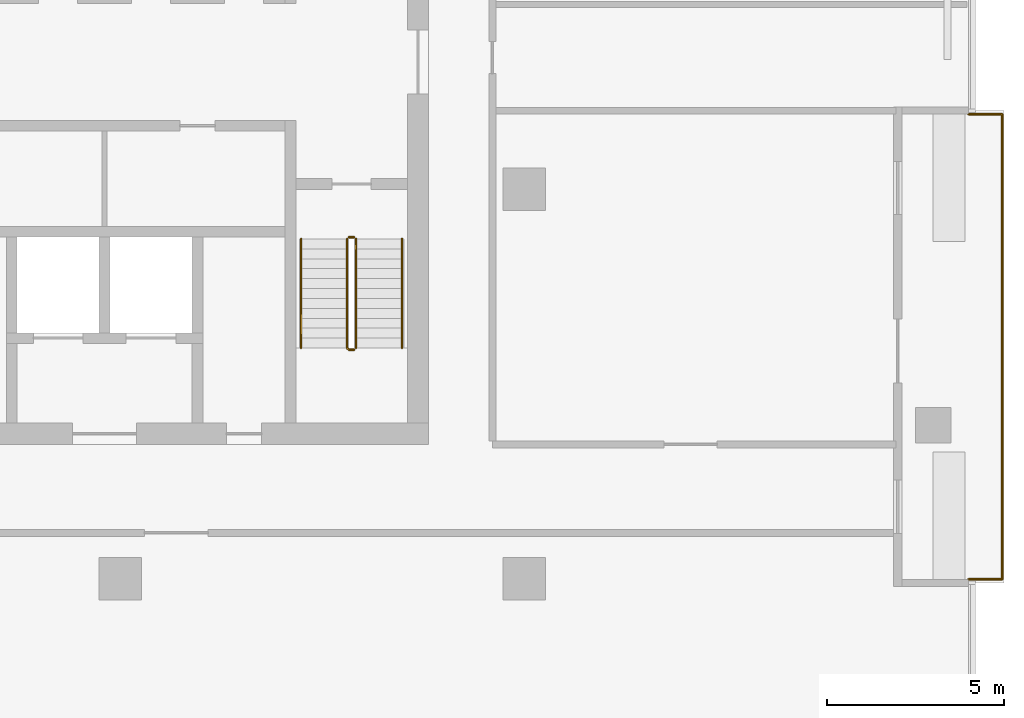
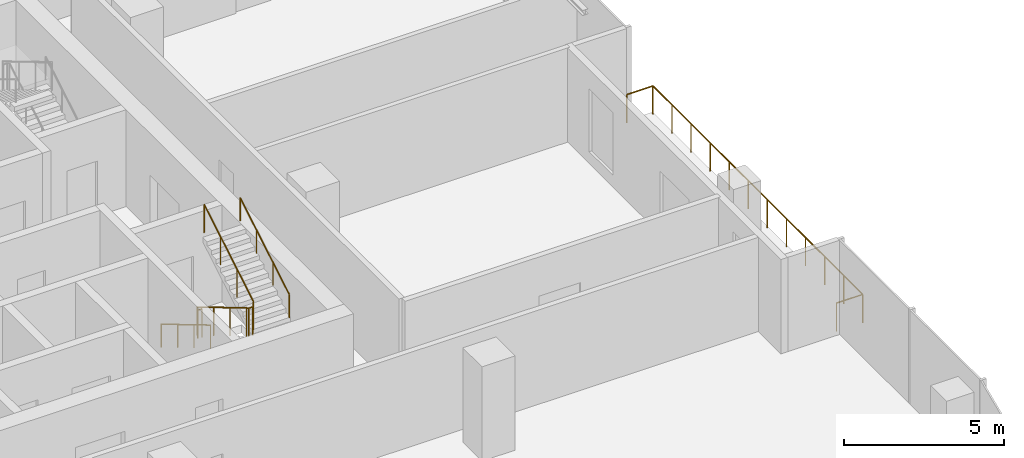
# One storey, part 12 of 13: 6 railings.
"""IFC4 building model written with IfcOpenShell, lengths in metres."""

from ifc_helpers import new_model, si_unit, direction, frame, origin, origin_2d, place, context, subcontext, project, spatial, circle, extrude, material, type_object, element, save


model = new_model("IFC4")

# Units and contexts
model_context = context("Model", 3, precision=1e-05, world=origin(), true_north=direction((0.0, 1.0)))
body_context = subcontext(model_context, "Body", "Model", "MODEL_VIEW")
ifc_project = project(units=[si_unit("LENGTHUNIT", "METRE"), si_unit("AREAUNIT", "SQUARE_METRE"), si_unit("VOLUMEUNIT", "CUBIC_METRE"), si_unit("PLANEANGLEUNIT", "RADIAN"), si_unit("MASSUNIT", "GRAM", prefix="KILO")], contexts=[model_context])

# Site, building, storey
site_placement = place(None, origin())
site = spatial("IfcSite", under=ifc_project, at=site_placement, CompositionType="ELEMENT")
building_placement = place(site_placement, origin())
building = spatial("IfcBuilding", under=site, at=building_placement, Name="Mopane Tessera Tower", CompositionType="ELEMENT")
storey_placement = place(building_placement, frame((0.0, 0.0, 287.39990234375)))
storey = spatial("IfcBuildingStorey", under=building, at=storey_placement, Name="L62", CompositionType="ELEMENT", Elevation=287.39990234375)

# Railings
ifc_material_1 = material(Name="Powder-coated steel balustrade", Category="steel")
railing_type_1 = type_object("IfcRailingType", Name="Escape stair guard 1100 mm", PredefinedType="GUARDRAIL", material=ifc_material_1)
railing_1_placement = place(storey_placement, frame((12.10009765625, -1.39990234375, 0.166748046875)))
element("IfcRailing", 1, at=railing_1_placement, inside=storey, type_object=railing_type_1, Name="L62 ST3 stair guard 1", PredefinedType="GUARDRAIL", context=body_context, shape_type="SweptSolid", body=[
    extrude(circle(Radius=0.02392578125, at=origin_2d()), frame((0.0, 0.0, 1.076171875), z_axis=(0.0, -0.859308565015, 0.511457515432), x_axis=(1.0, 0.0, 0.0)), (0.0, 0.0, 1.0), 3.58447265625),
    extrude(circle(Radius=0.02392578125, at=origin_2d()), frame((0.0, -3.080078125, 2.9091796875), z_axis=(0.705375805398, -0.708833529934, 0.0), x_axis=(0.708833529934, 0.705375805398, 0.0)), (0.0, 0.0, 1.0), 0.070556640625),
    extrude(circle(Radius=0.02392578125, at=origin_2d()), frame((0.0498046875, -3.130126953125, 2.9091796875), z_axis=(1.0, 0.0, 0.0), x_axis=(0.0, 1.0, 0.0)), (0.0, 0.0, 1.0), 0.150146484375),
    extrude(circle(Radius=0.02099609375, at=origin_2d()), origin(), (0.0, 0.0, 1.0), 1.052001953125),
    extrude(circle(Radius=0.02099609375, at=origin_2d()), frame((0.0, -1.026611328125, 0.611083984375)), (0.0, 0.0, 1.0), 1.052001953125),
    extrude(circle(Radius=0.02099609375, at=origin_2d()), frame((0.0, -2.053466796875, 1.22216796875)), (0.0, 0.0, 1.0), 1.052001953125),
    extrude(circle(Radius=0.02099609375, at=origin_2d()), frame((0.0, -3.080078125, 1.833251953125)), (0.0, 0.0, 1.0), 1.052001953125),
    extrude(circle(Radius=0.02099609375, at=origin_2d()), frame((0.0498046875, -3.130126953125, 1.833251953125)), (0.0, 0.0, 1.0), 1.052001953125),
    extrude(circle(Radius=0.02099609375, at=origin_2d()), frame((0.199951171875, -3.130126953125, 1.833251953125)), (0.0, 0.0, 1.0), 1.052001953125),
])
railing_2_placement = place(storey_placement, frame((12.35009765625, -4.47998046875, 2.166748046875)))
element("IfcRailing", 2, at=railing_2_placement, inside=storey, type_object=railing_type_1, Name="L62 ST3 stair guard 2", PredefinedType="GUARDRAIL", context=body_context, shape_type="SweptSolid", body=[
    extrude(circle(Radius=0.02392578125, at=origin_2d()), frame((0.0, 0.0, 1.076171875), z_axis=(0.0, 0.859308565015, 0.511457515432), x_axis=(-1.0, 0.0, 0.0)), (0.0, 0.0, 1.0), 3.58447265625),
    extrude(circle(Radius=0.02099609375, at=origin_2d()), origin(), (0.0, 0.0, 1.0), 1.052001953125),
    extrude(circle(Radius=0.02099609375, at=origin_2d()), frame((0.0, 1.026611328125, 0.611083984375)), (0.0, 0.0, 1.0), 1.052001953125),
    extrude(circle(Radius=0.02099609375, at=origin_2d()), frame((0.0, 2.053466796875, 1.22216796875)), (0.0, 0.0, 1.0), 1.052001953125),
    extrude(circle(Radius=0.02099609375, at=origin_2d()), frame((0.0, 3.080078125, 1.833251953125)), (0.0, 0.0, 1.0), 1.052001953125),
])
railing_3_placement = place(storey_placement, frame((12.14990234375, -1.35009765625, 0.0)))
element("IfcRailing", 3, at=railing_3_placement, inside=storey, type_object=railing_type_1, Name="L62 ST3 stair guard 3", PredefinedType="GUARDRAIL", context=body_context, shape_type="SweptSolid", body=[
    extrude(circle(Radius=0.02392578125, at=origin_2d()), frame((0.0, 0.0, 1.076171875), z_axis=(1.0, 0.0, 0.0), x_axis=(0.0, 1.0, 0.0)), (0.0, 0.0, 1.0), 0.150146484375),
    extrude(circle(Radius=0.02099609375, at=origin_2d()), origin(), (0.0, 0.0, 1.0), 1.052001953125),
    extrude(circle(Radius=0.02099609375, at=origin_2d()), frame((0.150146484375, 0.0, 0.0)), (0.0, 0.0, 1.0), 1.052001953125),
])
ifc_material_2 = material(Name="Powder-coated steel balustrade", Category="steel")
railing_type_2 = type_object("IfcRailingType", Name="Escape stair handrail 900 mm", PredefinedType="HANDRAIL", material=ifc_material_2)
railing_4_placement = place(storey_placement, frame((10.800048828125, -1.39990234375, 0.166748046875)))
element("IfcRailing", 4, at=railing_4_placement, inside=storey, type_object=railing_type_2, Name="L62 ST3 stair handrail 1", PredefinedType="HANDRAIL", context=body_context, shape_type="SweptSolid", body=[
    extrude(circle(Radius=0.02392578125, at=origin_2d()), frame((0.0, 0.0, 0.8759765625), z_axis=(0.0, -0.859308565015, 0.511457515432), x_axis=(1.0, 0.0, 0.0)), (0.0, 0.0, 1.0), 3.58447265625),
    extrude(circle(Radius=0.02099609375, at=origin_2d()), origin(), (0.0, 0.0, 1.0), 0.851806640625),
    extrude(circle(Radius=0.02099609375, at=origin_2d()), frame((0.0, -1.026611328125, 0.611083984375)), (0.0, 0.0, 1.0), 0.851806640625),
    extrude(circle(Radius=0.02099609375, at=origin_2d()), frame((0.0, -2.053466796875, 1.22216796875)), (0.0, 0.0, 1.0), 0.851806640625),
    extrude(circle(Radius=0.02099609375, at=origin_2d()), frame((0.0, -3.080078125, 1.833251953125)), (0.0, 0.0, 1.0), 0.851806640625),
])
railing_5_placement = place(storey_placement, frame((13.64990234375, -4.47998046875, 2.166748046875)))
element("IfcRailing", 5, at=railing_5_placement, inside=storey, type_object=railing_type_2, Name="L62 ST3 stair handrail 2", PredefinedType="HANDRAIL", context=body_context, shape_type="SweptSolid", body=[
    extrude(circle(Radius=0.02392578125, at=origin_2d()), frame((0.0, 0.0, 0.8759765625), z_axis=(0.0, 0.859308565015, 0.511457515432), x_axis=(-1.0, 0.0, 0.0)), (0.0, 0.0, 1.0), 3.58447265625),
    extrude(circle(Radius=0.02099609375, at=origin_2d()), origin(), (0.0, 0.0, 1.0), 0.851806640625),
    extrude(circle(Radius=0.02099609375, at=origin_2d()), frame((0.0, 1.026611328125, 0.611083984375)), (0.0, 0.0, 1.0), 0.851806640625),
    extrude(circle(Radius=0.02099609375, at=origin_2d()), frame((0.0, 2.053466796875, 1.22216796875)), (0.0, 0.0, 1.0), 0.851806640625),
    extrude(circle(Radius=0.02099609375, at=origin_2d()), frame((0.0, 3.080078125, 1.833251953125)), (0.0, 0.0, 1.0), 0.851806640625),
])
ifc_material_3 = material(Name="Stainless steel S316", Category="steel")
railing_type_3 = type_object("IfcRailingType", Name="Terrace guard 1100", PredefinedType="GUARDRAIL", material=ifc_material_3)
railing_6_placement = place(storey_placement, frame((29.64990234375, -11.01123046875, 0.0)))
element("IfcRailing", 6, at=railing_6_placement, inside=storey, type_object=railing_type_3, Name="e:nw:L62:N1:guard", PredefinedType="GUARDRAIL", context=body_context, shape_type="SweptSolid", body=[
    extrude(circle(Radius=0.02392578125, at=origin_2d()), frame((0.0, 0.0, 1.076171875), z_axis=(1.0, 0.0, 0.0), x_axis=(0.0, 1.0, 0.0)), (0.0, 0.0, 1.0), 0.9501953125),
    extrude(circle(Radius=0.02392578125, at=origin_2d()), frame((0.9501953125, 0.0, 1.076171875), z_axis=(0.0, 1.0, 0.0), x_axis=(-1.0, 0.0, 0.0)), (0.0, 0.0, 1.0), 13.133544921875),
    extrude(circle(Radius=0.02392578125, at=origin_2d()), frame((0.9501953125, 13.133544921875, 1.076171875), z_axis=(-1.0, 0.0, 0.0), x_axis=(0.0, -1.0, 0.0)), (0.0, 0.0, 1.0), 0.9501953125),
    extrude(circle(Radius=0.02099609375, at=origin_2d()), origin(), (0.0, 0.0, 1.0), 1.052001953125),
    extrude(circle(Radius=0.02099609375, at=origin_2d()), frame((0.9501953125, 0.0, 0.0)), (0.0, 0.0, 1.0), 1.052001953125),
    extrude(circle(Radius=0.02099609375, at=origin_2d()), frame((0.9501953125, 1.19384765625, 0.0)), (0.0, 0.0, 1.0), 1.052001953125),
    extrude(circle(Radius=0.02099609375, at=origin_2d()), frame((0.9501953125, 2.387939453125, 0.0)), (0.0, 0.0, 1.0), 1.052001953125),
    extrude(circle(Radius=0.02099609375, at=origin_2d()), frame((0.9501953125, 3.581787109375, 0.0)), (0.0, 0.0, 1.0), 1.052001953125),
    extrude(circle(Radius=0.02099609375, at=origin_2d()), frame((0.9501953125, 4.77587890625, 0.0)), (0.0, 0.0, 1.0), 1.052001953125),
    extrude(circle(Radius=0.02099609375, at=origin_2d()), frame((0.9501953125, 5.9697265625, 0.0)), (0.0, 0.0, 1.0), 1.052001953125),
    extrude(circle(Radius=0.02099609375, at=origin_2d()), frame((0.9501953125, 7.163818359375, 0.0)), (0.0, 0.0, 1.0), 1.052001953125),
    extrude(circle(Radius=0.02099609375, at=origin_2d()), frame((0.9501953125, 8.357666015625, 0.0)), (0.0, 0.0, 1.0), 1.052001953125),
    extrude(circle(Radius=0.02099609375, at=origin_2d()), frame((0.9501953125, 9.5517578125, 0.0)), (0.0, 0.0, 1.0), 1.052001953125),
    extrude(circle(Radius=0.02099609375, at=origin_2d()), frame((0.9501953125, 10.74560546875, 0.0)), (0.0, 0.0, 1.0), 1.052001953125),
    extrude(circle(Radius=0.02099609375, at=origin_2d()), frame((0.9501953125, 11.939697265625, 0.0)), (0.0, 0.0, 1.0), 1.052001953125),
    extrude(circle(Radius=0.02099609375, at=origin_2d()), frame((0.9501953125, 13.133544921875, 0.0)), (0.0, 0.0, 1.0), 1.052001953125),
    extrude(circle(Radius=0.02099609375, at=origin_2d()), frame((0.0, 13.133544921875, 0.0)), (0.0, 0.0, 1.0), 1.052001953125),
])

save(model, "model.ifc")
